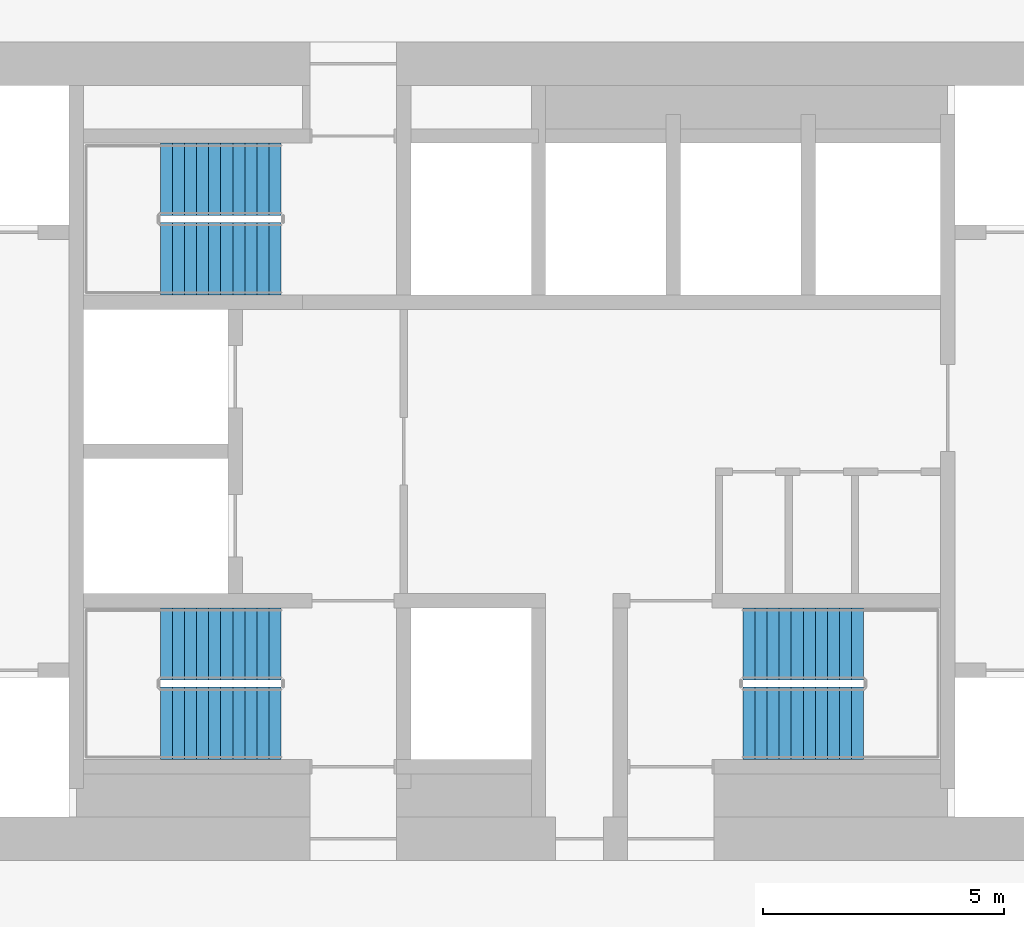
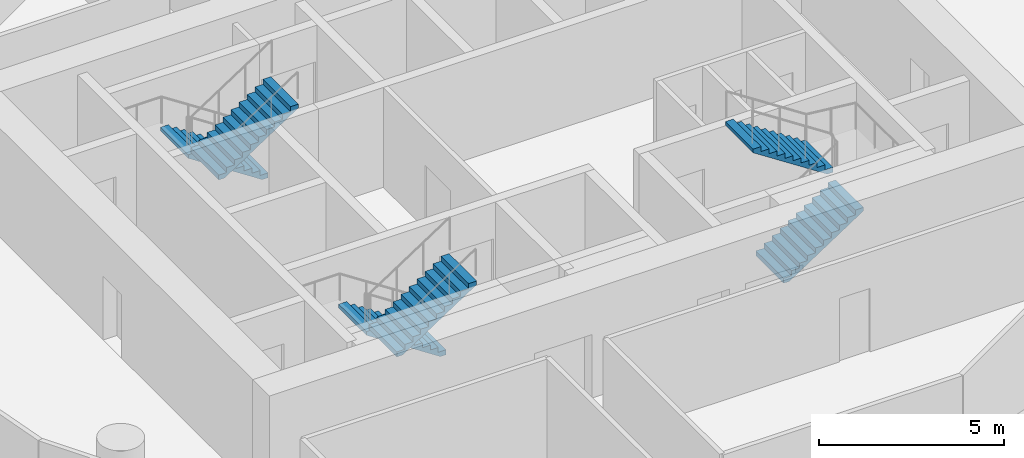
# One storey, part 10 of 13: 6 stair flights, 3 elements without a shape of their own.
"""IFC4 building model written with IfcOpenShell, lengths in metres."""

from ifc_helpers import new_model, si_unit, direction, frame, origin, place, context, subcontext, project, spatial, polyline, outline, extrude, material, type_object, element, aggregate, save


model = new_model("IFC4")

# Units and contexts
model_context = context("Model", 3, precision=1e-05, world=origin(), true_north=direction((0.0, 1.0)))
body_context = subcontext(model_context, "Body", "Model", "MODEL_VIEW")
ifc_project = project(units=[si_unit("LENGTHUNIT", "METRE"), si_unit("AREAUNIT", "SQUARE_METRE"), si_unit("VOLUMEUNIT", "CUBIC_METRE"), si_unit("PLANEANGLEUNIT", "RADIAN"), si_unit("MASSUNIT", "GRAM", prefix="KILO")], contexts=[model_context])

# Site, building, storey
site_placement = place(None, origin())
site = spatial("IfcSite", under=ifc_project, at=site_placement, CompositionType="ELEMENT")
building_placement = place(site_placement, origin())
building = spatial("IfcBuilding", under=site, at=building_placement, Name="Tracery Tower", CompositionType="ELEMENT")
storey_placement = place(building_placement, frame((0.0, 0.0, 126.0)))
storey = spatial("IfcBuildingStorey", under=building, at=storey_placement, Name="L31", CompositionType="ELEMENT", Elevation=126.0)

# Stair, stair flights
ifc_material_1 = material(Name="Concrete C32/40", Category="concrete")
stair_type = type_object("IfcStairType", Name="Core stair 22 risers", PredefinedType="HALF_TURN_STAIR", material=ifc_material_1)
stair_1_placement = place(storey_placement, origin())
stair_1 = element("IfcStair", 1, at=stair_1_placement, inside=storey, type_object=stair_type, Name="L31 stair ST1", PredefinedType="HALF_TURN_STAIR")
ifc_material_2 = material(Name="Concrete C32/40", Category="concrete")
stair_flight_type = type_object("IfcStairFlightType", Name="Core stair flight 11 risers", PredefinedType="STRAIGHT", material=ifc_material_2)
stair_flight_1_placement = place(storey_placement, frame((-4.800048828125, -4.0, 0.0), z_axis=(0.0, 0.0, 1.0), x_axis=(-1.0, 0.0, 0.0)))
stair_flight_1 = element("IfcStairFlight", 2, at=stair_flight_1_placement, type_object=stair_flight_type, Name="ST1 flight 1", NumberOfRisers=11, NumberOfTreads=10, PredefinedType="STRAIGHT", RiserHeight=0.163636364, TreadLength=0.25, context=body_context, shape_type="SweptSolid", body=[
    extrude(outline(polyline([(0.0, 0.0), (0.0, 0.002685546875), (0.0, 0.00537109375), (0.0, 0.008056640625), (0.0, 0.0107421875), (0.0, 0.013427734375), (0.0, 0.01611328125), (0.0, 0.018798828125), (0.0, 0.021484375), (0.0, 0.024169921875), (0.0, 0.02685546875), (0.0, 0.029541015625), (0.0, 0.0322265625), (0.0, 0.034912109375), (0.0, 0.03759765625), (0.0, 0.040283203125), (0.0, 0.04296875), (0.0, 0.045654296875), (0.0, 0.04833984375), (0.0, 0.051025390625), (0.0, 0.0537109375), (0.0, 0.056396484375), (0.0, 0.05908203125), (0.0, 0.061767578125), (0.0, 0.064453125), (0.0, 0.067138671875), (0.0, 0.06982421875), (0.0, 0.072509765625), (0.0, 0.0751953125), (0.0, 0.077880859375), (0.0, 0.08056640625), (0.0, 0.083251953125), (0.0, 0.0859375), (0.0, 0.088623046875), (0.0, 0.09130859375), (0.0, 0.093994140625), (0.0, 0.0966796875), (0.0, 0.099365234375), (0.0, 0.10205078125), (0.0, 0.104736328125), (0.0, 0.107421875), (0.0, 0.10986328125), (0.0, 0.112548828125), (0.0, 0.115234375), (0.0, 0.117919921875), (0.0, 0.12060546875), (0.0, 0.123291015625), (0.0, 0.1259765625), (0.0, 0.128662109375), (0.0, 0.13134765625), (0.0, 0.134033203125), (0.0, 0.13671875), (0.0, 0.139404296875), (0.0, 0.14208984375), (0.0, 0.144775390625), (0.0, 0.1474609375), (0.0, 0.150146484375), (0.0, 0.15283203125), (0.0, 0.155517578125), (0.0, 0.158203125), (0.0, 0.160888671875), (0.0, 0.16357421875), (0.25, 0.16357421875), (0.25, 0.327392578125), (0.5, 0.327392578125), (0.5, 0.490966796875), (0.75, 0.490966796875), (0.75, 0.654541015625), (1.0, 0.654541015625), (1.0, 0.818115234375), (1.25, 0.818115234375), (1.25, 0.98193359375), (1.5, 0.98193359375), (1.5, 1.1455078125), (1.75, 1.1455078125), (1.75, 1.30908203125), (2.0, 1.30908203125), (2.0, 1.47265625), (2.25, 1.47265625), (2.25, 1.636474609375), (2.5, 1.636474609375), (2.5, 1.634521484375), (2.5, 1.63232421875), (2.5, 1.63037109375), (2.5, 1.62841796875), (2.5, 1.62646484375), (2.5, 1.62451171875), (2.5, 1.62255859375), (2.5, 1.62060546875), (2.5, 1.61865234375), (2.5, 1.61669921875), (2.5, 1.61474609375), (2.5, 1.61279296875), (2.5, 1.61083984375), (2.5, 1.60888671875), (2.5, 1.60693359375), (2.5, 1.60498046875), (2.5, 1.60302734375), (2.5, 1.60107421875), (2.5, 1.59912109375), (2.5, 1.59716796875), (2.5, 1.59521484375), (2.5, 1.59326171875), (2.5, 1.59130859375), (2.5, 1.58935546875), (2.5, 1.58740234375), (2.5, 1.58544921875), (2.5, 1.58349609375), (2.5, 1.58154296875), (2.5, 1.57958984375), (2.5, 1.57763671875), (2.5, 1.57568359375), (2.5, 1.573486328125), (2.5, 1.571533203125), (2.5, 1.569580078125), (2.5, 1.567626953125), (2.5, 1.565673828125), (2.5, 1.563720703125), (2.5, 1.561767578125), (2.5, 1.559814453125), (2.5, 1.557861328125), (2.5, 1.555908203125), (2.5, 1.553955078125), (2.5, 1.552001953125), (2.5, 1.550048828125), (2.5, 1.548095703125), (2.5, 1.546142578125), (2.5, 1.544189453125), (2.5, 1.542236328125), (2.5, 1.540283203125), (2.5, 1.538330078125), (2.5, 1.536376953125), (2.5, 1.534423828125), (2.5, 1.532470703125), (2.5, 1.530517578125), (2.5, 1.528564453125), (2.5, 1.526611328125), (2.5, 1.524658203125), (2.5, 1.522705078125), (2.5, 1.520751953125), (2.5, 1.518798828125), (2.5, 1.516845703125), (0.182861328125, 0.0), (0.0, 0.0)])), frame((0.0, 0.75, 0.0), z_axis=(0.0, -1.0, 0.0), x_axis=(1.0, 0.0, 0.0)), (0.0, 0.0, 1.0), 1.5),
])
stair_flight_2_placement = place(storey_placement, frame((-7.300048828125, -5.64990234375, 1.800048828125), z_axis=(0.0, 0.0, 1.0), x_axis=(1.0, 0.0, 0.0)))
stair_flight_2 = element("IfcStairFlight", 3, at=stair_flight_2_placement, type_object=stair_flight_type, Name="ST1 flight 2", NumberOfRisers=11, NumberOfTreads=10, PredefinedType="STRAIGHT", RiserHeight=0.163636364, TreadLength=0.25, context=body_context, shape_type="SweptSolid", body=[
    extrude(outline(polyline([(0.0, 0.0), (0.0, 0.002685546875), (0.0, 0.00537109375), (0.0, 0.008056640625), (0.0, 0.0107421875), (0.0, 0.013427734375), (0.0, 0.01611328125), (0.0, 0.018798828125), (0.0, 0.021484375), (0.0, 0.024169921875), (0.0, 0.02685546875), (0.0, 0.029541015625), (0.0, 0.0322265625), (0.0, 0.034912109375), (0.0, 0.03759765625), (0.0, 0.040283203125), (0.0, 0.04296875), (0.0, 0.045654296875), (0.0, 0.04833984375), (0.0, 0.051025390625), (0.0, 0.0537109375), (0.0, 0.056396484375), (0.0, 0.05908203125), (0.0, 0.061767578125), (0.0, 0.064453125), (0.0, 0.067138671875), (0.0, 0.06982421875), (0.0, 0.072509765625), (0.0, 0.0751953125), (0.0, 0.077880859375), (0.0, 0.08056640625), (0.0, 0.083251953125), (0.0, 0.0859375), (0.0, 0.088623046875), (0.0, 0.09130859375), (0.0, 0.093994140625), (0.0, 0.0966796875), (0.0, 0.099365234375), (0.0, 0.10205078125), (0.0, 0.104736328125), (0.0, 0.107421875), (0.0, 0.10986328125), (0.0, 0.112548828125), (0.0, 0.115234375), (0.0, 0.117919921875), (0.0, 0.12060546875), (0.0, 0.123291015625), (0.0, 0.1259765625), (0.0, 0.128662109375), (0.0, 0.13134765625), (0.0, 0.134033203125), (0.0, 0.13671875), (0.0, 0.139404296875), (0.0, 0.14208984375), (0.0, 0.144775390625), (0.0, 0.1474609375), (0.0, 0.150146484375), (0.0, 0.15283203125), (0.0, 0.155517578125), (0.0, 0.158203125), (0.0, 0.160888671875), (0.0, 0.16357421875), (0.25, 0.16357421875), (0.25, 0.327392578125), (0.5, 0.327392578125), (0.5, 0.490966796875), (0.75, 0.490966796875), (0.75, 0.654541015625), (1.0, 0.654541015625), (1.0, 0.818115234375), (1.25, 0.818115234375), (1.25, 0.98193359375), (1.5, 0.98193359375), (1.5, 1.1455078125), (1.75, 1.1455078125), (1.75, 1.30908203125), (2.0, 1.30908203125), (2.0, 1.47265625), (2.25, 1.47265625), (2.25, 1.636474609375), (2.5, 1.636474609375), (2.5, 1.634521484375), (2.5, 1.63232421875), (2.5, 1.63037109375), (2.5, 1.62841796875), (2.5, 1.62646484375), (2.5, 1.62451171875), (2.5, 1.62255859375), (2.5, 1.62060546875), (2.5, 1.61865234375), (2.5, 1.61669921875), (2.5, 1.61474609375), (2.5, 1.61279296875), (2.5, 1.61083984375), (2.5, 1.60888671875), (2.5, 1.60693359375), (2.5, 1.60498046875), (2.5, 1.60302734375), (2.5, 1.60107421875), (2.5, 1.59912109375), (2.5, 1.59716796875), (2.5, 1.59521484375), (2.5, 1.59326171875), (2.5, 1.59130859375), (2.5, 1.58935546875), (2.5, 1.58740234375), (2.5, 1.58544921875), (2.5, 1.58349609375), (2.5, 1.58154296875), (2.5, 1.57958984375), (2.5, 1.57763671875), (2.5, 1.57568359375), (2.5, 1.573486328125), (2.5, 1.571533203125), (2.5, 1.569580078125), (2.5, 1.567626953125), (2.5, 1.565673828125), (2.5, 1.563720703125), (2.5, 1.561767578125), (2.5, 1.559814453125), (2.5, 1.557861328125), (2.5, 1.555908203125), (2.5, 1.553955078125), (2.5, 1.552001953125), (2.5, 1.550048828125), (2.5, 1.548095703125), (2.5, 1.546142578125), (2.5, 1.544189453125), (2.5, 1.542236328125), (2.5, 1.540283203125), (2.5, 1.538330078125), (2.5, 1.536376953125), (2.5, 1.534423828125), (2.5, 1.532470703125), (2.5, 1.530517578125), (2.5, 1.528564453125), (2.5, 1.526611328125), (2.5, 1.524658203125), (2.5, 1.522705078125), (2.5, 1.520751953125), (2.5, 1.518798828125), (2.5, 1.516845703125), (0.182861328125, 0.0), (0.0, 0.0)])), frame((0.0, 0.75, 0.0), z_axis=(0.0, -1.0, 0.0), x_axis=(1.0, 0.0, 0.0)), (0.0, 0.0, 1.0), 1.5),
])
aggregate(stair_1, [stair_flight_1, stair_flight_2])

stair_2_placement = place(storey_placement, origin())
stair_2 = element("IfcStair", 4, at=stair_2_placement, inside=storey, type_object=stair_type, Name="L31 stair ST3", PredefinedType="HALF_TURN_STAIR")
stair_flight_3_placement = place(storey_placement, frame((-4.800048828125, 5.64990234375, 0.0), z_axis=(0.0, 0.0, 1.0), x_axis=(-1.0, 0.0, 0.0)))
stair_flight_3 = element("IfcStairFlight", 5, at=stair_flight_3_placement, type_object=stair_flight_type, Name="ST3 flight 1", NumberOfRisers=11, NumberOfTreads=10, PredefinedType="STRAIGHT", RiserHeight=0.163636364, TreadLength=0.25, context=body_context, shape_type="SweptSolid", body=[
    extrude(outline(polyline([(0.0, 0.0), (0.0, 0.002685546875), (0.0, 0.00537109375), (0.0, 0.008056640625), (0.0, 0.0107421875), (0.0, 0.013427734375), (0.0, 0.01611328125), (0.0, 0.018798828125), (0.0, 0.021484375), (0.0, 0.024169921875), (0.0, 0.02685546875), (0.0, 0.029541015625), (0.0, 0.0322265625), (0.0, 0.034912109375), (0.0, 0.03759765625), (0.0, 0.040283203125), (0.0, 0.04296875), (0.0, 0.045654296875), (0.0, 0.04833984375), (0.0, 0.051025390625), (0.0, 0.0537109375), (0.0, 0.056396484375), (0.0, 0.05908203125), (0.0, 0.061767578125), (0.0, 0.064453125), (0.0, 0.067138671875), (0.0, 0.06982421875), (0.0, 0.072509765625), (0.0, 0.0751953125), (0.0, 0.077880859375), (0.0, 0.08056640625), (0.0, 0.083251953125), (0.0, 0.0859375), (0.0, 0.088623046875), (0.0, 0.09130859375), (0.0, 0.093994140625), (0.0, 0.0966796875), (0.0, 0.099365234375), (0.0, 0.10205078125), (0.0, 0.104736328125), (0.0, 0.107421875), (0.0, 0.10986328125), (0.0, 0.112548828125), (0.0, 0.115234375), (0.0, 0.117919921875), (0.0, 0.12060546875), (0.0, 0.123291015625), (0.0, 0.1259765625), (0.0, 0.128662109375), (0.0, 0.13134765625), (0.0, 0.134033203125), (0.0, 0.13671875), (0.0, 0.139404296875), (0.0, 0.14208984375), (0.0, 0.144775390625), (0.0, 0.1474609375), (0.0, 0.150146484375), (0.0, 0.15283203125), (0.0, 0.155517578125), (0.0, 0.158203125), (0.0, 0.160888671875), (0.0, 0.16357421875), (0.25, 0.16357421875), (0.25, 0.327392578125), (0.5, 0.327392578125), (0.5, 0.490966796875), (0.75, 0.490966796875), (0.75, 0.654541015625), (1.0, 0.654541015625), (1.0, 0.818115234375), (1.25, 0.818115234375), (1.25, 0.98193359375), (1.5, 0.98193359375), (1.5, 1.1455078125), (1.75, 1.1455078125), (1.75, 1.30908203125), (2.0, 1.30908203125), (2.0, 1.47265625), (2.25, 1.47265625), (2.25, 1.636474609375), (2.5, 1.636474609375), (2.5, 1.634521484375), (2.5, 1.63232421875), (2.5, 1.63037109375), (2.5, 1.62841796875), (2.5, 1.62646484375), (2.5, 1.62451171875), (2.5, 1.62255859375), (2.5, 1.62060546875), (2.5, 1.61865234375), (2.5, 1.61669921875), (2.5, 1.61474609375), (2.5, 1.61279296875), (2.5, 1.61083984375), (2.5, 1.60888671875), (2.5, 1.60693359375), (2.5, 1.60498046875), (2.5, 1.60302734375), (2.5, 1.60107421875), (2.5, 1.59912109375), (2.5, 1.59716796875), (2.5, 1.59521484375), (2.5, 1.59326171875), (2.5, 1.59130859375), (2.5, 1.58935546875), (2.5, 1.58740234375), (2.5, 1.58544921875), (2.5, 1.58349609375), (2.5, 1.58154296875), (2.5, 1.57958984375), (2.5, 1.57763671875), (2.5, 1.57568359375), (2.5, 1.573486328125), (2.5, 1.571533203125), (2.5, 1.569580078125), (2.5, 1.567626953125), (2.5, 1.565673828125), (2.5, 1.563720703125), (2.5, 1.561767578125), (2.5, 1.559814453125), (2.5, 1.557861328125), (2.5, 1.555908203125), (2.5, 1.553955078125), (2.5, 1.552001953125), (2.5, 1.550048828125), (2.5, 1.548095703125), (2.5, 1.546142578125), (2.5, 1.544189453125), (2.5, 1.542236328125), (2.5, 1.540283203125), (2.5, 1.538330078125), (2.5, 1.536376953125), (2.5, 1.534423828125), (2.5, 1.532470703125), (2.5, 1.530517578125), (2.5, 1.528564453125), (2.5, 1.526611328125), (2.5, 1.524658203125), (2.5, 1.522705078125), (2.5, 1.520751953125), (2.5, 1.518798828125), (2.5, 1.516845703125), (0.182861328125, 0.0), (0.0, 0.0)])), frame((0.0, 0.75, 0.0), z_axis=(0.0, -1.0, 0.0), x_axis=(1.0, 0.0, 0.0)), (0.0, 0.0, 1.0), 1.5),
])
stair_flight_4_placement = place(storey_placement, frame((-7.300048828125, 4.0, 1.800048828125), z_axis=(0.0, 0.0, 1.0), x_axis=(1.0, 0.0, 0.0)))
stair_flight_4 = element("IfcStairFlight", 6, at=stair_flight_4_placement, type_object=stair_flight_type, Name="ST3 flight 2", NumberOfRisers=11, NumberOfTreads=10, PredefinedType="STRAIGHT", RiserHeight=0.163636364, TreadLength=0.25, context=body_context, shape_type="SweptSolid", body=[
    extrude(outline(polyline([(0.0, 0.0), (0.0, 0.002685546875), (0.0, 0.00537109375), (0.0, 0.008056640625), (0.0, 0.0107421875), (0.0, 0.013427734375), (0.0, 0.01611328125), (0.0, 0.018798828125), (0.0, 0.021484375), (0.0, 0.024169921875), (0.0, 0.02685546875), (0.0, 0.029541015625), (0.0, 0.0322265625), (0.0, 0.034912109375), (0.0, 0.03759765625), (0.0, 0.040283203125), (0.0, 0.04296875), (0.0, 0.045654296875), (0.0, 0.04833984375), (0.0, 0.051025390625), (0.0, 0.0537109375), (0.0, 0.056396484375), (0.0, 0.05908203125), (0.0, 0.061767578125), (0.0, 0.064453125), (0.0, 0.067138671875), (0.0, 0.06982421875), (0.0, 0.072509765625), (0.0, 0.0751953125), (0.0, 0.077880859375), (0.0, 0.08056640625), (0.0, 0.083251953125), (0.0, 0.0859375), (0.0, 0.088623046875), (0.0, 0.09130859375), (0.0, 0.093994140625), (0.0, 0.0966796875), (0.0, 0.099365234375), (0.0, 0.10205078125), (0.0, 0.104736328125), (0.0, 0.107421875), (0.0, 0.10986328125), (0.0, 0.112548828125), (0.0, 0.115234375), (0.0, 0.117919921875), (0.0, 0.12060546875), (0.0, 0.123291015625), (0.0, 0.1259765625), (0.0, 0.128662109375), (0.0, 0.13134765625), (0.0, 0.134033203125), (0.0, 0.13671875), (0.0, 0.139404296875), (0.0, 0.14208984375), (0.0, 0.144775390625), (0.0, 0.1474609375), (0.0, 0.150146484375), (0.0, 0.15283203125), (0.0, 0.155517578125), (0.0, 0.158203125), (0.0, 0.160888671875), (0.0, 0.16357421875), (0.25, 0.16357421875), (0.25, 0.327392578125), (0.5, 0.327392578125), (0.5, 0.490966796875), (0.75, 0.490966796875), (0.75, 0.654541015625), (1.0, 0.654541015625), (1.0, 0.818115234375), (1.25, 0.818115234375), (1.25, 0.98193359375), (1.5, 0.98193359375), (1.5, 1.1455078125), (1.75, 1.1455078125), (1.75, 1.30908203125), (2.0, 1.30908203125), (2.0, 1.47265625), (2.25, 1.47265625), (2.25, 1.636474609375), (2.5, 1.636474609375), (2.5, 1.634521484375), (2.5, 1.63232421875), (2.5, 1.63037109375), (2.5, 1.62841796875), (2.5, 1.62646484375), (2.5, 1.62451171875), (2.5, 1.62255859375), (2.5, 1.62060546875), (2.5, 1.61865234375), (2.5, 1.61669921875), (2.5, 1.61474609375), (2.5, 1.61279296875), (2.5, 1.61083984375), (2.5, 1.60888671875), (2.5, 1.60693359375), (2.5, 1.60498046875), (2.5, 1.60302734375), (2.5, 1.60107421875), (2.5, 1.59912109375), (2.5, 1.59716796875), (2.5, 1.59521484375), (2.5, 1.59326171875), (2.5, 1.59130859375), (2.5, 1.58935546875), (2.5, 1.58740234375), (2.5, 1.58544921875), (2.5, 1.58349609375), (2.5, 1.58154296875), (2.5, 1.57958984375), (2.5, 1.57763671875), (2.5, 1.57568359375), (2.5, 1.573486328125), (2.5, 1.571533203125), (2.5, 1.569580078125), (2.5, 1.567626953125), (2.5, 1.565673828125), (2.5, 1.563720703125), (2.5, 1.561767578125), (2.5, 1.559814453125), (2.5, 1.557861328125), (2.5, 1.555908203125), (2.5, 1.553955078125), (2.5, 1.552001953125), (2.5, 1.550048828125), (2.5, 1.548095703125), (2.5, 1.546142578125), (2.5, 1.544189453125), (2.5, 1.542236328125), (2.5, 1.540283203125), (2.5, 1.538330078125), (2.5, 1.536376953125), (2.5, 1.534423828125), (2.5, 1.532470703125), (2.5, 1.530517578125), (2.5, 1.528564453125), (2.5, 1.526611328125), (2.5, 1.524658203125), (2.5, 1.522705078125), (2.5, 1.520751953125), (2.5, 1.518798828125), (2.5, 1.516845703125), (0.182861328125, 0.0), (0.0, 0.0)])), frame((0.0, 0.75, 0.0), z_axis=(0.0, -1.0, 0.0), x_axis=(1.0, 0.0, 0.0)), (0.0, 0.0, 1.0), 1.5),
])
aggregate(stair_2, [stair_flight_3, stair_flight_4])

stair_3_placement = place(storey_placement, origin())
stair_3 = element("IfcStair", 7, at=stair_3_placement, inside=storey, type_object=stair_type, Name="L31 stair ST2", PredefinedType="HALF_TURN_STAIR")
stair_flight_5_placement = place(storey_placement, frame((4.800048828125, -5.64990234375, 0.0), z_axis=(0.0, 0.0, 1.0), x_axis=(1.0, 0.0, 0.0)))
stair_flight_5 = element("IfcStairFlight", 8, at=stair_flight_5_placement, type_object=stair_flight_type, Name="ST2 flight 1", NumberOfRisers=11, NumberOfTreads=10, PredefinedType="STRAIGHT", RiserHeight=0.163636364, TreadLength=0.25, context=body_context, shape_type="SweptSolid", body=[
    extrude(outline(polyline([(0.0, 0.0), (0.0, 0.002685546875), (0.0, 0.00537109375), (0.0, 0.008056640625), (0.0, 0.0107421875), (0.0, 0.013427734375), (0.0, 0.01611328125), (0.0, 0.018798828125), (0.0, 0.021484375), (0.0, 0.024169921875), (0.0, 0.02685546875), (0.0, 0.029541015625), (0.0, 0.0322265625), (0.0, 0.034912109375), (0.0, 0.03759765625), (0.0, 0.040283203125), (0.0, 0.04296875), (0.0, 0.045654296875), (0.0, 0.04833984375), (0.0, 0.051025390625), (0.0, 0.0537109375), (0.0, 0.056396484375), (0.0, 0.05908203125), (0.0, 0.061767578125), (0.0, 0.064453125), (0.0, 0.067138671875), (0.0, 0.06982421875), (0.0, 0.072509765625), (0.0, 0.0751953125), (0.0, 0.077880859375), (0.0, 0.08056640625), (0.0, 0.083251953125), (0.0, 0.0859375), (0.0, 0.088623046875), (0.0, 0.09130859375), (0.0, 0.093994140625), (0.0, 0.0966796875), (0.0, 0.099365234375), (0.0, 0.10205078125), (0.0, 0.104736328125), (0.0, 0.107421875), (0.0, 0.10986328125), (0.0, 0.112548828125), (0.0, 0.115234375), (0.0, 0.117919921875), (0.0, 0.12060546875), (0.0, 0.123291015625), (0.0, 0.1259765625), (0.0, 0.128662109375), (0.0, 0.13134765625), (0.0, 0.134033203125), (0.0, 0.13671875), (0.0, 0.139404296875), (0.0, 0.14208984375), (0.0, 0.144775390625), (0.0, 0.1474609375), (0.0, 0.150146484375), (0.0, 0.15283203125), (0.0, 0.155517578125), (0.0, 0.158203125), (0.0, 0.160888671875), (0.0, 0.16357421875), (0.25, 0.16357421875), (0.25, 0.327392578125), (0.5, 0.327392578125), (0.5, 0.490966796875), (0.75, 0.490966796875), (0.75, 0.654541015625), (1.0, 0.654541015625), (1.0, 0.818115234375), (1.25, 0.818115234375), (1.25, 0.98193359375), (1.5, 0.98193359375), (1.5, 1.1455078125), (1.75, 1.1455078125), (1.75, 1.30908203125), (2.0, 1.30908203125), (2.0, 1.47265625), (2.25, 1.47265625), (2.25, 1.636474609375), (2.5, 1.636474609375), (2.5, 1.634521484375), (2.5, 1.63232421875), (2.5, 1.63037109375), (2.5, 1.62841796875), (2.5, 1.62646484375), (2.5, 1.62451171875), (2.5, 1.62255859375), (2.5, 1.62060546875), (2.5, 1.61865234375), (2.5, 1.61669921875), (2.5, 1.61474609375), (2.5, 1.61279296875), (2.5, 1.61083984375), (2.5, 1.60888671875), (2.5, 1.60693359375), (2.5, 1.60498046875), (2.5, 1.60302734375), (2.5, 1.60107421875), (2.5, 1.59912109375), (2.5, 1.59716796875), (2.5, 1.59521484375), (2.5, 1.59326171875), (2.5, 1.59130859375), (2.5, 1.58935546875), (2.5, 1.58740234375), (2.5, 1.58544921875), (2.5, 1.58349609375), (2.5, 1.58154296875), (2.5, 1.57958984375), (2.5, 1.57763671875), (2.5, 1.57568359375), (2.5, 1.573486328125), (2.5, 1.571533203125), (2.5, 1.569580078125), (2.5, 1.567626953125), (2.5, 1.565673828125), (2.5, 1.563720703125), (2.5, 1.561767578125), (2.5, 1.559814453125), (2.5, 1.557861328125), (2.5, 1.555908203125), (2.5, 1.553955078125), (2.5, 1.552001953125), (2.5, 1.550048828125), (2.5, 1.548095703125), (2.5, 1.546142578125), (2.5, 1.544189453125), (2.5, 1.542236328125), (2.5, 1.540283203125), (2.5, 1.538330078125), (2.5, 1.536376953125), (2.5, 1.534423828125), (2.5, 1.532470703125), (2.5, 1.530517578125), (2.5, 1.528564453125), (2.5, 1.526611328125), (2.5, 1.524658203125), (2.5, 1.522705078125), (2.5, 1.520751953125), (2.5, 1.518798828125), (2.5, 1.516845703125), (0.182861328125, 0.0), (0.0, 0.0)])), frame((0.0, 0.75, 0.0), z_axis=(0.0, -1.0, 0.0), x_axis=(1.0, 0.0, 0.0)), (0.0, 0.0, 1.0), 1.5),
])
stair_flight_6_placement = place(storey_placement, frame((7.300048828125, -4.0, 1.800048828125), z_axis=(0.0, 0.0, 1.0), x_axis=(-1.0, 0.0, 0.0)))
stair_flight_6 = element("IfcStairFlight", 9, at=stair_flight_6_placement, type_object=stair_flight_type, Name="ST2 flight 2", NumberOfRisers=11, NumberOfTreads=10, PredefinedType="STRAIGHT", RiserHeight=0.163636364, TreadLength=0.25, context=body_context, shape_type="SweptSolid", body=[
    extrude(outline(polyline([(0.0, 0.0), (0.0, 0.002685546875), (0.0, 0.00537109375), (0.0, 0.008056640625), (0.0, 0.0107421875), (0.0, 0.013427734375), (0.0, 0.01611328125), (0.0, 0.018798828125), (0.0, 0.021484375), (0.0, 0.024169921875), (0.0, 0.02685546875), (0.0, 0.029541015625), (0.0, 0.0322265625), (0.0, 0.034912109375), (0.0, 0.03759765625), (0.0, 0.040283203125), (0.0, 0.04296875), (0.0, 0.045654296875), (0.0, 0.04833984375), (0.0, 0.051025390625), (0.0, 0.0537109375), (0.0, 0.056396484375), (0.0, 0.05908203125), (0.0, 0.061767578125), (0.0, 0.064453125), (0.0, 0.067138671875), (0.0, 0.06982421875), (0.0, 0.072509765625), (0.0, 0.0751953125), (0.0, 0.077880859375), (0.0, 0.08056640625), (0.0, 0.083251953125), (0.0, 0.0859375), (0.0, 0.088623046875), (0.0, 0.09130859375), (0.0, 0.093994140625), (0.0, 0.0966796875), (0.0, 0.099365234375), (0.0, 0.10205078125), (0.0, 0.104736328125), (0.0, 0.107421875), (0.0, 0.10986328125), (0.0, 0.112548828125), (0.0, 0.115234375), (0.0, 0.117919921875), (0.0, 0.12060546875), (0.0, 0.123291015625), (0.0, 0.1259765625), (0.0, 0.128662109375), (0.0, 0.13134765625), (0.0, 0.134033203125), (0.0, 0.13671875), (0.0, 0.139404296875), (0.0, 0.14208984375), (0.0, 0.144775390625), (0.0, 0.1474609375), (0.0, 0.150146484375), (0.0, 0.15283203125), (0.0, 0.155517578125), (0.0, 0.158203125), (0.0, 0.160888671875), (0.0, 0.16357421875), (0.25, 0.16357421875), (0.25, 0.327392578125), (0.5, 0.327392578125), (0.5, 0.490966796875), (0.75, 0.490966796875), (0.75, 0.654541015625), (1.0, 0.654541015625), (1.0, 0.818115234375), (1.25, 0.818115234375), (1.25, 0.98193359375), (1.5, 0.98193359375), (1.5, 1.1455078125), (1.75, 1.1455078125), (1.75, 1.30908203125), (2.0, 1.30908203125), (2.0, 1.47265625), (2.25, 1.47265625), (2.25, 1.636474609375), (2.5, 1.636474609375), (2.5, 1.634521484375), (2.5, 1.63232421875), (2.5, 1.63037109375), (2.5, 1.62841796875), (2.5, 1.62646484375), (2.5, 1.62451171875), (2.5, 1.62255859375), (2.5, 1.62060546875), (2.5, 1.61865234375), (2.5, 1.61669921875), (2.5, 1.61474609375), (2.5, 1.61279296875), (2.5, 1.61083984375), (2.5, 1.60888671875), (2.5, 1.60693359375), (2.5, 1.60498046875), (2.5, 1.60302734375), (2.5, 1.60107421875), (2.5, 1.59912109375), (2.5, 1.59716796875), (2.5, 1.59521484375), (2.5, 1.59326171875), (2.5, 1.59130859375), (2.5, 1.58935546875), (2.5, 1.58740234375), (2.5, 1.58544921875), (2.5, 1.58349609375), (2.5, 1.58154296875), (2.5, 1.57958984375), (2.5, 1.57763671875), (2.5, 1.57568359375), (2.5, 1.573486328125), (2.5, 1.571533203125), (2.5, 1.569580078125), (2.5, 1.567626953125), (2.5, 1.565673828125), (2.5, 1.563720703125), (2.5, 1.561767578125), (2.5, 1.559814453125), (2.5, 1.557861328125), (2.5, 1.555908203125), (2.5, 1.553955078125), (2.5, 1.552001953125), (2.5, 1.550048828125), (2.5, 1.548095703125), (2.5, 1.546142578125), (2.5, 1.544189453125), (2.5, 1.542236328125), (2.5, 1.540283203125), (2.5, 1.538330078125), (2.5, 1.536376953125), (2.5, 1.534423828125), (2.5, 1.532470703125), (2.5, 1.530517578125), (2.5, 1.528564453125), (2.5, 1.526611328125), (2.5, 1.524658203125), (2.5, 1.522705078125), (2.5, 1.520751953125), (2.5, 1.518798828125), (2.5, 1.516845703125), (0.182861328125, 0.0), (0.0, 0.0)])), frame((0.0, 0.75, 0.0), z_axis=(0.0, -1.0, 0.0), x_axis=(1.0, 0.0, 0.0)), (0.0, 0.0, 1.0), 1.5),
])
aggregate(stair_3, [stair_flight_5, stair_flight_6])

save(model, "model.ifc")
